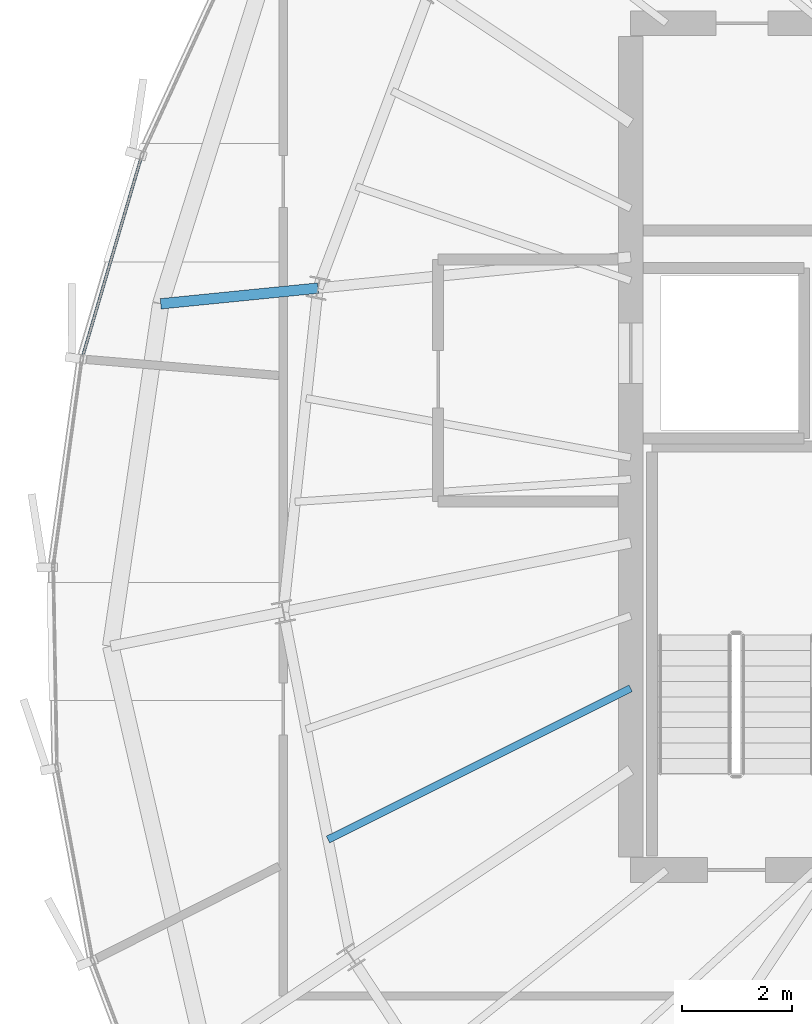
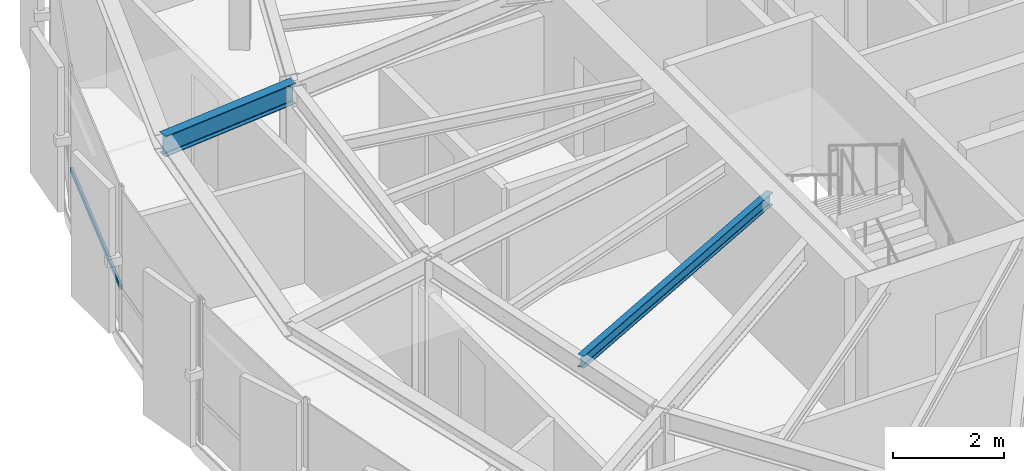
# One storey, part 12 of 32: 2 beams, 1 member, 1 element without a shape of its own.
"""IFC4 building model written with IfcOpenShell, lengths in metres."""

from ifc_helpers import new_model, si_unit, direction, frame, origin, origin_2d, place, context, subcontext, project, spatial, hollow_rectangle, i_section, extrude, source, transform, mapped, material, layer, layer_set, material_profile, profile_set, type_object, element, aggregate, save


model = new_model("IFC4")

# Units and contexts
model_context = context("Model", 3, precision=1e-05, world=origin(), true_north=direction((0.0, 1.0)))
body_context = subcontext(model_context, "Body", "Model", "MODEL_VIEW")
ifc_project = project(units=[si_unit("LENGTHUNIT", "METRE"), si_unit("AREAUNIT", "SQUARE_METRE"), si_unit("VOLUMEUNIT", "CUBIC_METRE"), si_unit("PLANEANGLEUNIT", "RADIAN"), si_unit("MASSUNIT", "GRAM", prefix="KILO"), si_unit("THERMODYNAMICTEMPERATUREUNIT", "KELVIN")], contexts=[model_context])

# Site, building, storey
site_placement = place(None, origin())
site = spatial("IfcSite", under=ifc_project, at=site_placement, CompositionType="ELEMENT")
building_placement = place(site_placement, origin())
building = spatial("IfcBuilding", under=site, at=building_placement, Name="Kethvar Cultural Tower", CompositionType="ELEMENT")
storey_placement = place(building_placement, frame((0.0, 0.0, 280.14990234375)))
storey = spatial("IfcBuildingStorey", under=building, at=storey_placement, Name="L74", CompositionType="ELEMENT", Elevation=280.14990234375)

# Beams
ifc_material_1 = material(Name="Steel S355J2", Category="steel")
ifc_material_profile_1 = material_profile(ifc_material_1, i_section(OverallWidth=0.135009765625, OverallDepth=0.27001953125, WebThickness=0.006591796875, FlangeThickness=0.01025390625, FilletRadius=0.014892578125, at=origin_2d()), Name="Steel S355J2 — IPE270")
ifc_profile_set_1 = profile_set([ifc_material_profile_1], Name="Steel S355J2 — IPE270")
beam_type_1 = type_object("IfcBeamType", Name="BM-J270", PredefinedType="JOIST", material=ifc_profile_set_1)
shared_shape_1 = source(origin(), body_context, "Body", "SweptSolid", [
    extrude(i_section(OverallWidth=0.135009765625, OverallDepth=0.27001953125, WebThickness=0.006591796875, FlangeThickness=0.01025390625, FilletRadius=0.014892578125, at=origin_2d()), origin(), (0.0, 0.0, 1.0), 6.154052734375),
])
beam_1_placement = place(storey_placement, frame((38.0, 23.40380859375, 3.072998046875), z_axis=(-0.89458581954, -0.446896197655, 0.0), x_axis=(0.446896197655, -0.89458581954, 0.0)))
element("IfcBeam", 1, at=beam_1_placement, inside=storey, type_object=beam_type_1, Name="L74 Composite Floor Joist J-09B", PredefinedType="JOIST", context=body_context, shape_type="MappedRepresentation", body=[
    mapped(shared_shape_1, transform((0.0, 0.0, 0.0), scale=1.0)),
])
ifc_material_profile_2 = material_profile(ifc_material_1, i_section(OverallWidth=0.18994140625, OverallDepth=0.449951171875, WebThickness=0.009521484375, FlangeThickness=0.0146484375, FilletRadius=0.02099609375, at=origin_2d()), Name="Steel S355J2 — IPE450")
ifc_profile_set_2 = profile_set([ifc_material_profile_2], Name="Steel S355J2 — IPE450")
beam_type_2 = type_object("IfcBeamType", Name="BM-IPE450", PredefinedType="BEAM", material=ifc_profile_set_2)
shared_shape_2 = source(origin(), body_context, "Body", "SweptSolid", [
    extrude(i_section(OverallWidth=0.18994140625, OverallDepth=0.449951171875, WebThickness=0.009521484375, FlangeThickness=0.0146484375, FilletRadius=0.02099609375, at=origin_2d()), origin(), (0.0, 0.0, 1.0), 2.87353515625),
])
beam_2_placement = place(storey_placement, frame((32.3125, 30.681884765625, 2.983154296875), z_axis=(-0.995047279304, -0.099402776365, 0.0), x_axis=(0.099402776365, -0.995047279304, 0.0)))
element("IfcBeam", 2, at=beam_2_placement, inside=storey, type_object=beam_type_2, Name="L74 Perimeter Cantilever Beam RC-08", PredefinedType="BEAM", context=body_context, shape_type="MappedRepresentation", body=[
    mapped(shared_shape_2, transform((0.0, 0.0, 0.0), scale=1.0)),
])

# Curtain wall, member
ifc_material_2 = material(Name="Aluminium 6063-T6", Category="aluminium")
ifc_layer = layer(ifc_material_2, 0.179931640625, Name="Aluminium 6063-T6", Category="aluminium")
ifc_layer_set = layer_set([ifc_layer], Name="Aluminium 6063-T6 (180 mm)")
curtain_wall_type = type_object("IfcCurtainWallType", Name="CW-SYS-05-Z56", PredefinedType="NOTDEFINED", material=ifc_layer_set)
curtain_wall_placement = place(storey_placement, origin())
curtain_wall = element("IfcCurtainWall", 3, at=curtain_wall_placement, inside=storey, type_object=curtain_wall_type, Name="L74 Curtain Wall Run 02", PredefinedType="NOTDEFINED")
ifc_material_profile_3 = material_profile(ifc_material_2, hollow_rectangle(XDim=0.050048828125, YDim=0.10009765625, WallThickness=0.00390625, at=origin_2d()), Name="Aluminium 6063-T6 — RHS100x50x4")
ifc_profile_set_3 = profile_set([ifc_material_profile_3], Name="Aluminium 6063-T6 — RHS100x50x4")
member_type = type_object("IfcMemberType", Name="CW-SYS-05-Z56-TRN", PredefinedType="USERDEFINED", material=ifc_profile_set_3)
shared_shape_3 = source(origin(), body_context, "Body", "SweptSolid", [
    extrude(hollow_rectangle(XDim=0.050048828125, YDim=0.10009765625, WallThickness=0.00390625, at=origin_2d()), origin(), (0.0, 0.0, 1.0), 3.796630859375),
])
member_placement = place(storey_placement, frame((29.098388671875, 33.056884765625, 0.9501953125), z_axis=(-0.282483113553, -0.959272271338, 0.0), x_axis=(0.959272271338, -0.282483113553, 0.0)))
member = element("IfcMember", 4, at=member_placement, type_object=member_type, Name="CW-L74-R02 Transom 5", ObjectType="TRANSOM", PredefinedType="USERDEFINED", context=body_context, shape_type="MappedRepresentation", body=[
    mapped(shared_shape_3, transform((0.0, 0.0, 0.0), scale=1.0)),
])
aggregate(curtain_wall, [member])

save(model, "model.ifc")
